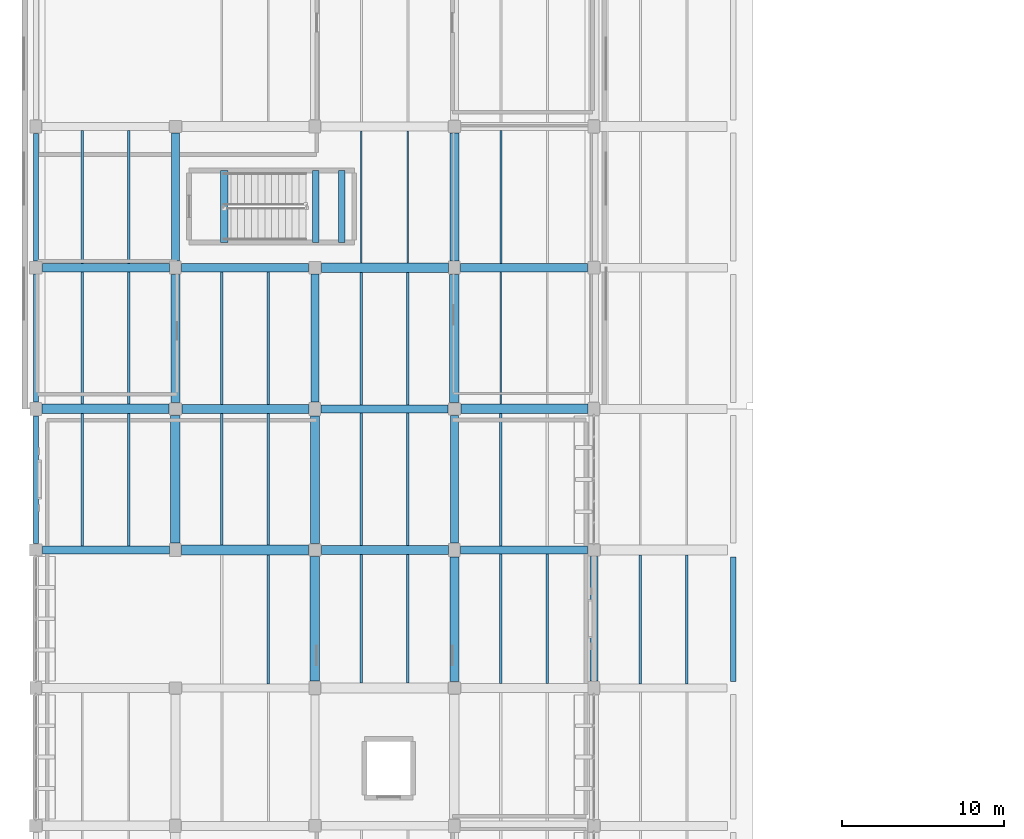
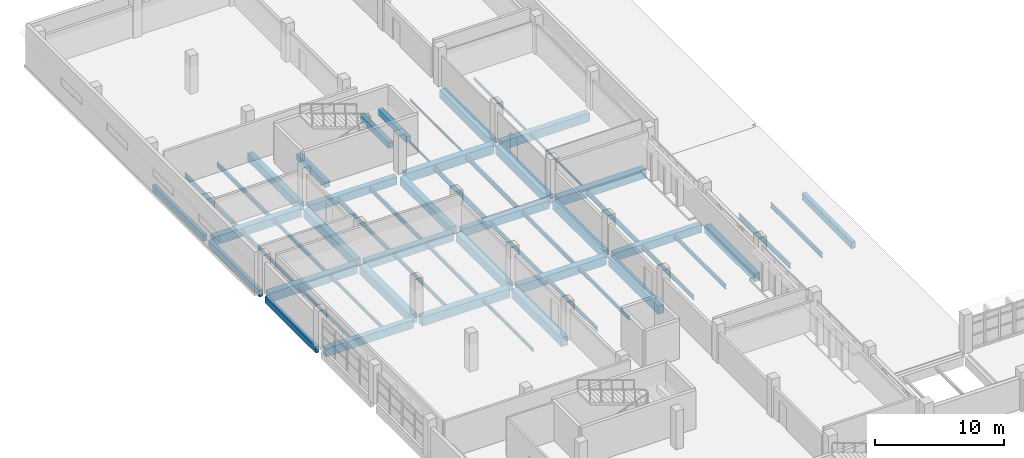
# One storey, part 44 of 80: 56 beams.
"""IFC4 building model written with IfcOpenShell, lengths in metres."""

from ifc_helpers import new_model, si_unit, direction, frame, origin, origin_2d, place, context, subcontext, project, spatial, rectangle, i_section, extrude, material, material_profile, profile_set, type_object, element, save


model = new_model("IFC4")

# Units and contexts
model_context = context("Model", 3, precision=1e-05, world=origin(), true_north=direction((0.0, 1.0)))
body_context = subcontext(model_context, "Body", "Model", "MODEL_VIEW")
ifc_project = project(units=[si_unit("LENGTHUNIT", "METRE"), si_unit("AREAUNIT", "SQUARE_METRE"), si_unit("VOLUMEUNIT", "CUBIC_METRE"), si_unit("PLANEANGLEUNIT", "RADIAN"), si_unit("MASSUNIT", "GRAM", prefix="KILO")], contexts=[model_context])

# Site, building, storey
site_placement = place(None, origin())
site = spatial("IfcSite", under=ifc_project, at=site_placement, CompositionType="ELEMENT")
building_placement = place(site_placement, origin())
building = spatial("IfcBuilding", under=site, at=building_placement, Name="Varnakota Cinema and Media Centre", CompositionType="ELEMENT")
storey_placement = place(building_placement, frame((0.0, 0.0, 4.5)))
storey = spatial("IfcBuildingStorey", under=building, at=storey_placement, Name="L01", CompositionType="ELEMENT", Elevation=4.5)

# Beams
ifc_material_1 = material(Name="Concrete M35", Category="concrete")
ifc_material_profile_1 = material_profile(ifc_material_1, rectangle(XDim=0.39990234375, YDim=0.550048828125, at=origin_2d()), Name="RCB 400x550")
ifc_profile_set_1 = profile_set([ifc_material_profile_1], Name="Concrete M35")
beam_type_1 = type_object("IfcBeamType", Name="BM-RC-400x550", PredefinedType="BEAM", material=ifc_profile_set_1)
for number, where, z_axis, x_axis, name in (
    (1, (17.264892578125, 88.449951171875, 1.47509765625), (0.0, 1.0, 0.0), (-1.0, 0.0, 0.0), "L01 ST-05 landing support beam 1"),
    (2, (18.855224609375, 88.449951171875, 1.47509765625), (0.0, 1.0, 0.0), (-1.0, 0.0, 0.0), "L01 ST-05 landing support beam 2"),
):
    element("IfcBeam", number, at=place(storey_placement, frame(where, z_axis=z_axis, x_axis=x_axis)), inside=storey, type_object=beam_type_1, Name=name, PredefinedType="BEAM", context=body_context, shape_type="SweptSolid", body=[
        extrude(rectangle(XDim=0.39990234375, YDim=0.550048828125, at=origin_2d()), origin(), (0.0, 0.0, 1.0), 4.449951171875),
    ])
ifc_material_2 = material(Name="Concrete M40", Category="concrete")
ifc_material_profile_2 = material_profile(ifc_material_2, rectangle(XDim=0.449951171875, YDim=0.550048828125, at=origin_2d()), Name="RCB 450x550")
ifc_profile_set_2 = profile_set([ifc_material_profile_2], Name="Concrete M40")
beam_type_2 = type_object("IfcBeamType", Name="BM-RC-450x550", PredefinedType="BEAM", material=ifc_profile_set_2)
beam_1_placement = place(storey_placement, frame((11.6201171875, 88.449951171875, -0.27490234375), z_axis=(0.0, 1.0, 0.0), x_axis=(-1.0, 0.0, 0.0)))
element("IfcBeam", 3, at=beam_1_placement, inside=storey, type_object=beam_type_2, Name="L01 ST-05 stair arrival trimmer beam", PredefinedType="BEAM", context=body_context, shape_type="SweptSolid", body=[
    extrude(rectangle(XDim=0.449951171875, YDim=0.550048828125, at=origin_2d()), origin(), (0.0, 0.0, 1.0), 4.449951171875),
])
ifc_material_3 = material(Name="Concrete M35", Category="concrete")
ifc_material_profile_3 = material_profile(ifc_material_3, rectangle(XDim=0.5, YDim=0.75, at=origin_2d()), Name="RCB 500x750")
ifc_profile_set_3 = profile_set([ifc_material_profile_3], Name="Concrete M35")
beam_type_3 = type_object("IfcBeamType", Name="BM-RC-500x750", PredefinedType="BEAM", material=ifc_profile_set_3)
beam_2_placement = place(storey_placement, frame((0.39990234375, 69.5, -0.625), z_axis=(1.0, 0.0, 0.0), x_axis=(0.0, 1.0, 0.0)))
element("IfcBeam", 4, at=beam_2_placement, inside=storey, type_object=beam_type_3, Name="L01 girder A-B/9", PredefinedType="BEAM", context=body_context, shape_type="SweptSolid", body=[
    extrude(rectangle(XDim=0.5, YDim=0.75, at=origin_2d()), origin(), (0.0, 0.0, 1.0), 7.8251953125),
])
for number, where, z_axis, x_axis, name in (
    (5, (26.175048828125, 69.5, -0.625), (1.0, 0.0, 0.0), (0.0, 1.0, 0.0), "L01 girder D-E/9"),
    (6, (17.574951171875, 78.199951171875, -0.625), (1.0, 0.0, 0.0), (0.0, 1.0, 0.0), "L01 girder C-D/10"),
    (7, (8.97509765625, 86.89990234375, -0.625), (1.0, 0.0, 0.0), (0.0, 1.0, 0.0), "L01 girder B-C/11"),
):
    element("IfcBeam", number, at=place(storey_placement, frame(where, z_axis=z_axis, x_axis=x_axis)), inside=storey, type_object=beam_type_3, Name=name, PredefinedType="BEAM", context=body_context, shape_type="SweptSolid", body=[
        extrude(rectangle(XDim=0.5, YDim=0.75, at=origin_2d()), origin(), (0.0, 0.0, 1.0), 7.824951171875),
    ])
for number, where, z_axis, x_axis, name in (
    (8, (8.60009765625, 87.324951171875, -0.625), (0.0, 1.0, 0.0), (-1.0, 0.0, 0.0), "L01 girder B/11-12"),
    (9, (17.199951171875, 78.625, -0.625), (0.0, 1.0, 0.0), (-1.0, 0.0, 0.0), "L01 girder C/10-11"),
    (10, (25.800048828125, 69.925048828125, -0.625), (0.0, 1.0, 0.0), (-1.0, 0.0, 0.0), "L01 girder D/9-10"),
):
    element("IfcBeam", number, at=place(storey_placement, frame(where, z_axis=z_axis, x_axis=x_axis)), inside=storey, type_object=beam_type_3, Name=name, PredefinedType="BEAM", context=body_context, shape_type="SweptSolid", body=[
        extrude(rectangle(XDim=0.5, YDim=0.75, at=origin_2d()), origin(), (0.0, 0.0, 1.0), 7.875),
    ])
beam_3_placement = place(storey_placement, frame((34.39990234375, 61.425048828125, -0.625), z_axis=(0.0, 1.0, 0.0), x_axis=(-1.0, 0.0, 0.0)))
element("IfcBeam", 11, at=beam_3_placement, inside=storey, type_object=beam_type_3, Name="L01 girder E/8-9", PredefinedType="BEAM", context=body_context, shape_type="SweptSolid", body=[
    extrude(rectangle(XDim=0.5, YDim=0.75, at=origin_2d()), origin(), (0.0, 0.0, 1.0), 7.675048828125),
])
ifc_material_4 = material(Name="Concrete M35", Category="concrete")
ifc_material_profile_4 = material_profile(ifc_material_4, rectangle(XDim=0.550048828125, YDim=0.800048828125, at=origin_2d()), Name="RCB 550x800")
ifc_profile_set_4 = profile_set([ifc_material_profile_4], Name="Concrete M35")
beam_type_4 = type_object("IfcBeamType", Name="BM-RC-550x800", PredefinedType="BEAM", material=ifc_profile_set_4)
for number, where, z_axis, x_axis, name in (
    (12, (17.60009765625, 69.5, -0.64990234375), (1.0, 0.0, 0.0), (0.0, 1.0, 0.0), "L01 girder C-D/9"),
    (13, (9.0, 78.199951171875, -0.64990234375), (1.0, 0.0, 0.0), (0.0, 1.0, 0.0), "L01 girder B-C/10"),
):
    element("IfcBeam", number, at=place(storey_placement, frame(where, z_axis=z_axis, x_axis=x_axis)), inside=storey, type_object=beam_type_4, Name=name, PredefinedType="BEAM", context=body_context, shape_type="SweptSolid", body=[
        extrude(rectangle(XDim=0.550048828125, YDim=0.800048828125, at=origin_2d()), origin(), (0.0, 0.0, 1.0), 7.824951171875),
    ])
beam_4_placement = place(storey_placement, frame((0.39990234375, 86.89990234375, -0.64990234375), z_axis=(1.0, 0.0, 0.0), x_axis=(0.0, 1.0, 0.0)))
element("IfcBeam", 14, at=beam_4_placement, inside=storey, type_object=beam_type_4, Name="L01 girder A-B/11", PredefinedType="BEAM", context=body_context, shape_type="SweptSolid", body=[
    extrude(rectangle(XDim=0.550048828125, YDim=0.800048828125, at=origin_2d()), origin(), (0.0, 0.0, 1.0), 7.8251953125),
])
beam_5_placement = place(storey_placement, frame((26.175048828125, 86.89990234375, -0.64990234375), z_axis=(1.0, 0.0, 0.0), x_axis=(0.0, 1.0, 0.0)))
element("IfcBeam", 15, at=beam_5_placement, inside=storey, type_object=beam_type_4, Name="L01 girder D-E/11", PredefinedType="BEAM", context=body_context, shape_type="SweptSolid", body=[
    extrude(rectangle(XDim=0.550048828125, YDim=0.800048828125, at=origin_2d()), origin(), (0.0, 0.0, 1.0), 7.824951171875),
])
for number, where, z_axis, x_axis, name in (
    (16, (8.60009765625, 78.60009765625, -0.64990234375), (0.0, 1.0, 0.0), (-1.0, 0.0, 0.0), "L01 girder B/10-11"),
    (17, (17.199951171875, 69.89990234375, -0.64990234375), (0.0, 1.0, 0.0), (-1.0, 0.0, 0.0), "L01 girder C/9-10"),
):
    element("IfcBeam", number, at=place(storey_placement, frame(where, z_axis=z_axis, x_axis=x_axis)), inside=storey, type_object=beam_type_4, Name=name, PredefinedType="BEAM", context=body_context, shape_type="SweptSolid", body=[
        extrude(rectangle(XDim=0.550048828125, YDim=0.800048828125, at=origin_2d()), origin(), (0.0, 0.0, 1.0), 7.875),
    ])
beam_6_placement = place(storey_placement, frame((25.800048828125, 61.39990234375, -0.64990234375), z_axis=(0.0, 1.0, 0.0), x_axis=(-1.0, 0.0, 0.0)))
element("IfcBeam", 18, at=beam_6_placement, inside=storey, type_object=beam_type_4, Name="L01 girder D/8-9", PredefinedType="BEAM", context=body_context, shape_type="SweptSolid", body=[
    extrude(rectangle(XDim=0.550048828125, YDim=0.800048828125, at=origin_2d()), origin(), (0.0, 0.0, 1.0), 7.675048828125),
])
beam_7_placement = place(storey_placement, frame((25.800048828125, 87.324951171875, -0.64990234375), z_axis=(0.0, 1.0, 0.0), x_axis=(-1.0, 0.0, 0.0)))
element("IfcBeam", 19, at=beam_7_placement, inside=storey, type_object=beam_type_4, Name="L01 girder D/11-12", PredefinedType="BEAM", context=body_context, shape_type="SweptSolid", body=[
    extrude(rectangle(XDim=0.550048828125, YDim=0.800048828125, at=origin_2d()), origin(), (0.0, 0.0, 1.0), 7.875),
])
ifc_material_5 = material(Name="Concrete M35", Category="concrete")
ifc_material_profile_5 = material_profile(ifc_material_5, rectangle(XDim=0.60009765625, YDim=0.85009765625, at=origin_2d()), Name="RCB 600x850")
ifc_profile_set_5 = profile_set([ifc_material_profile_5], Name="Concrete M35")
beam_type_5 = type_object("IfcBeamType", Name="BM-RC-600x850", PredefinedType="BEAM", material=ifc_profile_set_5)
for number, where, z_axis, x_axis, name in (
    (20, (8.97509765625, 69.5, -0.675048828125), (1.0, 0.0, 0.0), (0.0, 1.0, 0.0), "L01 girder B-C/9"),
    (21, (0.375, 78.199951171875, -0.675048828125), (1.0, 0.0, 0.0), (0.0, 1.0, 0.0), "L01 girder A-B/10"),
    (22, (26.199951171875, 78.199951171875, -0.675048828125), (1.0, 0.0, 0.0), (0.0, 1.0, 0.0), "L01 girder D-E/10"),
    (23, (17.60009765625, 86.89990234375, -0.675048828125), (1.0, 0.0, 0.0), (0.0, 1.0, 0.0), "L01 girder C-D/11"),
):
    element("IfcBeam", number, at=place(storey_placement, frame(where, z_axis=z_axis, x_axis=x_axis)), inside=storey, type_object=beam_type_5, Name=name, PredefinedType="BEAM", context=body_context, shape_type="SweptSolid", body=[
        extrude(rectangle(XDim=0.60009765625, YDim=0.85009765625, at=origin_2d()), origin(), (0.0, 0.0, 1.0), 7.824951171875),
    ])
beam_8_placement = place(storey_placement, frame((8.60009765625, 69.925048828125, -0.675048828125), z_axis=(0.0, 1.0, 0.0), x_axis=(-1.0, 0.0, 0.0)))
element("IfcBeam", 24, at=beam_8_placement, inside=storey, type_object=beam_type_5, Name="L01 girder B/9-10", PredefinedType="BEAM", context=body_context, shape_type="SweptSolid", body=[
    extrude(rectangle(XDim=0.60009765625, YDim=0.85009765625, at=origin_2d()), origin(), (0.0, 0.0, 1.0), 7.875),
])
beam_9_placement = place(storey_placement, frame((17.199951171875, 61.425048828125, -0.675048828125), z_axis=(0.0, 1.0, 0.0), x_axis=(-1.0, 0.0, 0.0)))
element("IfcBeam", 25, at=beam_9_placement, inside=storey, type_object=beam_type_5, Name="L01 girder C/8-9", PredefinedType="BEAM", context=body_context, shape_type="SweptSolid", body=[
    extrude(rectangle(XDim=0.60009765625, YDim=0.85009765625, at=origin_2d()), origin(), (0.0, 0.0, 1.0), 7.675048828125),
])
beam_10_placement = place(storey_placement, frame((25.800048828125, 78.60009765625, -0.675048828125), z_axis=(0.0, 1.0, 0.0), x_axis=(-1.0, 0.0, 0.0)))
element("IfcBeam", 26, at=beam_10_placement, inside=storey, type_object=beam_type_5, Name="L01 girder D/10-11", PredefinedType="BEAM", context=body_context, shape_type="SweptSolid", body=[
    extrude(rectangle(XDim=0.60009765625, YDim=0.85009765625, at=origin_2d()), origin(), (0.0, 0.0, 1.0), 7.875),
])
ifc_material_6 = material(Name="Concrete M35", Category="concrete")
ifc_material_profile_6 = material_profile(ifc_material_6, rectangle(XDim=0.300048828125, YDim=0.60009765625, at=origin_2d()), Name="RCB 300x600")
ifc_profile_set_6 = profile_set([ifc_material_profile_6], Name="Concrete M35")
beam_type_6 = type_object("IfcBeamType", Name="BM-SP-300x600", PredefinedType="SPANDREL", material=ifc_profile_set_6)
for number, where, z_axis, x_axis, name in (
    (27, (0.0, 69.89990234375, -0.550048828125), (0.0, 1.0, 0.0), (-1.0, 0.0, 0.0), "L01 girder A/9-10"),
    (28, (0.0, 78.625, -0.550048828125), (0.0, 1.0, 0.0), (-1.0, 0.0, 0.0), "L01 girder A/10-11"),
    (29, (0.0, 87.300048828125, -0.550048828125), (0.0, 1.0, 0.0), (-1.0, 0.0, 0.0), "L01 girder A/11-12"),
):
    element("IfcBeam", number, at=place(storey_placement, frame(where, z_axis=z_axis, x_axis=x_axis)), inside=storey, type_object=beam_type_6, Name=name, PredefinedType="SPANDREL", context=body_context, shape_type="SweptSolid", body=[
        extrude(rectangle(XDim=0.300048828125, YDim=0.60009765625, at=origin_2d()), origin(), (0.0, 0.0, 1.0), 7.875),
    ])
ifc_material_7 = material(Name="Concrete M40", Category="concrete")
ifc_material_profile_7 = material_profile(ifc_material_7, rectangle(XDim=0.35009765625, YDim=0.64990234375, at=origin_2d()), Name="RCB 350x650")
ifc_profile_set_7 = profile_set([ifc_material_profile_7], Name="Concrete M40")
beam_type_7 = type_object("IfcBeamType", Name="BM-SP-350x650", PredefinedType="SPANDREL", material=ifc_profile_set_7)
beam_11_placement = place(storey_placement, frame((43.0, 61.39990234375, -0.574951171875), z_axis=(0.0, 1.0, 0.0), x_axis=(-1.0, 0.0, 0.0)))
element("IfcBeam", 30, at=beam_11_placement, inside=storey, type_object=beam_type_7, Name="L01 girder F/8-9", PredefinedType="SPANDREL", context=body_context, shape_type="SweptSolid", body=[
    extrude(rectangle(XDim=0.35009765625, YDim=0.64990234375, at=origin_2d()), origin(), (0.0, 0.0, 1.0), 7.675048828125),
])
ifc_material_8 = material(Name="Structural steel Grade 350 (E350)", Category="steel")
ifc_material_profile_8 = material_profile(ifc_material_8, i_section(OverallWidth=0.10009765625, OverallDepth=0.199951171875, WebThickness=0.005615234375, FlangeThickness=0.0107421875, FilletRadius=0.010986328125, at=origin_2d()), Name="ISMB 200")
ifc_profile_set_8 = profile_set([ifc_material_profile_8], Name="Structural steel Grade 350 (E350)")
beam_type_8 = type_object("IfcBeamType", Name="BM-ST-ISMB200", PredefinedType="JOIST", material=ifc_profile_set_8)
for number, where, z_axis, x_axis, name in (
    (31, (20.066650390625, 87.199951171875, -0.35009765625), (0.0, 1.0, 0.0), (-1.0, 0.0, 0.0), "L01 steel joist C-D/11-12 #1"),
    (32, (22.933349609375, 87.199951171875, -0.35009765625), (0.0, 1.0, 0.0), (-1.0, 0.0, 0.0), "L01 steel joist C-D/11-12 #2"),
    (33, (28.666748046875, 78.5, -0.35009765625), (0.0, 1.0, 0.0), (-1.0, 0.0, 0.0), "L01 steel joist D-E/10-11 #1"),
):
    element("IfcBeam", number, at=place(storey_placement, frame(where, z_axis=z_axis, x_axis=x_axis)), inside=storey, type_object=beam_type_8, Name=name, PredefinedType="JOIST", context=body_context, shape_type="SweptSolid", body=[
        extrude(i_section(OverallWidth=0.10009765625, OverallDepth=0.199951171875, WebThickness=0.005615234375, FlangeThickness=0.0107421875, FilletRadius=0.010986328125, at=origin_2d()), origin(), (0.0, 0.0, 1.0), 8.125),
    ])
ifc_material_9 = material(Name="Structural steel Grade 350 (E350)", Category="steel")
ifc_material_profile_9 = material_profile(ifc_material_9, i_section(OverallWidth=0.110107421875, OverallDepth=0.22509765625, WebThickness=0.006591796875, FlangeThickness=0.01171875, FilletRadius=0.011962890625, at=origin_2d()), Name="ISMB 225")
ifc_profile_set_9 = profile_set([ifc_material_profile_9], Name="Structural steel Grade 350 (E350)")
beam_type_9 = type_object("IfcBeamType", Name="BM-ST-ISMB225", PredefinedType="JOIST", material=ifc_profile_set_9)
beam_12_placement = place(storey_placement, frame((28.666748046875, 87.175048828125, -0.362548828125), z_axis=(0.0, 1.0, 0.0), x_axis=(-1.0, 0.0, 0.0)))
element("IfcBeam", 34, at=beam_12_placement, inside=storey, type_object=beam_type_9, Name="L01 steel joist D-E/11-12 #1", PredefinedType="JOIST", context=body_context, shape_type="SweptSolid", body=[
    extrude(i_section(OverallWidth=0.110107421875, OverallDepth=0.22509765625, WebThickness=0.006591796875, FlangeThickness=0.01171875, FilletRadius=0.011962890625, at=origin_2d()), origin(), (0.0, 0.0, 1.0), 8.175048828125),
])
ifc_material_10 = material(Name="Structural steel Grade 350 (E350)", Category="steel")
ifc_material_profile_10 = material_profile(ifc_material_10, i_section(OverallWidth=0.139892578125, OverallDepth=0.300048828125, WebThickness=0.0078125, FlangeThickness=0.01318359375, FilletRadius=0.013916015625, at=origin_2d()), Name="ISMB 300")
ifc_profile_set_10 = profile_set([ifc_material_profile_10], Name="Structural steel Grade 350 (E350)")
beam_type_10 = type_object("IfcBeamType", Name="BM-ST-ISMB300", PredefinedType="JOIST", material=ifc_profile_set_10)
for number, where, z_axis, x_axis, name in (
    (35, (2.86669921875, 69.75, -0.39990234375), (0.0, 1.0, 0.0), (-1.0, 0.0, 0.0), "L01 steel joist A-B/9-10 #1"),
    (36, (5.7333984375, 69.75, -0.39990234375), (0.0, 1.0, 0.0), (-1.0, 0.0, 0.0), "L01 steel joist A-B/9-10 #2"),
):
    element("IfcBeam", number, at=place(storey_placement, frame(where, z_axis=z_axis, x_axis=x_axis)), inside=storey, type_object=beam_type_10, Name=name, PredefinedType="JOIST", context=body_context, shape_type="SweptSolid", body=[
        extrude(i_section(OverallWidth=0.139892578125, OverallDepth=0.300048828125, WebThickness=0.0078125, FlangeThickness=0.01318359375, FilletRadius=0.013916015625, at=origin_2d()), origin(), (0.0, 0.0, 1.0), 8.14990234375),
    ])
beam_13_placement = place(storey_placement, frame((14.333251953125, 61.25, -0.39990234375), z_axis=(0.0, 1.0, 0.0), x_axis=(-1.0, 0.0, 0.0)))
element("IfcBeam", 37, at=beam_13_placement, inside=storey, type_object=beam_type_10, Name="L01 steel joist B-C/8-9 #2", PredefinedType="JOIST", context=body_context, shape_type="SweptSolid", body=[
    extrude(i_section(OverallWidth=0.139892578125, OverallDepth=0.300048828125, WebThickness=0.0078125, FlangeThickness=0.01318359375, FilletRadius=0.013916015625, at=origin_2d()), origin(), (0.0, 0.0, 1.0), 7.949951171875),
])
ifc_material_11 = material(Name="Structural steel Grade 350 (E350)", Category="steel")
ifc_material_profile_11 = material_profile(ifc_material_11, i_section(OverallWidth=0.139892578125, OverallDepth=0.35009765625, WebThickness=0.008056640625, FlangeThickness=0.01416015625, FilletRadius=0.013916015625, at=origin_2d()), Name="ISMB 350")
ifc_profile_set_11 = profile_set([ifc_material_profile_11], Name="Structural steel Grade 350 (E350)")
beam_type_11 = type_object("IfcBeamType", Name="BM-ST-ISMB350", PredefinedType="JOIST", material=ifc_profile_set_11)
for number, where, z_axis, x_axis, name in (
    (38, (2.86669921875, 78.5, -0.425048828125), (0.0, 1.0, 0.0), (-1.0, 0.0, 0.0), "L01 steel joist A-B/10-11 #1"),
    (39, (5.7333984375, 78.5, -0.425048828125), (0.0, 1.0, 0.0), (-1.0, 0.0, 0.0), "L01 steel joist A-B/10-11 #2"),
    (40, (11.466796875, 69.800048828125, -0.425048828125), (0.0, 1.0, 0.0), (-1.0, 0.0, 0.0), "L01 steel joist B-C/9-10 #1"),
    (41, (14.333251953125, 69.800048828125, -0.425048828125), (0.0, 1.0, 0.0), (-1.0, 0.0, 0.0), "L01 steel joist B-C/9-10 #2"),
):
    element("IfcBeam", number, at=place(storey_placement, frame(where, z_axis=z_axis, x_axis=x_axis)), inside=storey, type_object=beam_type_11, Name=name, PredefinedType="JOIST", context=body_context, shape_type="SweptSolid", body=[
        extrude(i_section(OverallWidth=0.139892578125, OverallDepth=0.35009765625, WebThickness=0.008056640625, FlangeThickness=0.01416015625, FilletRadius=0.013916015625, at=origin_2d()), origin(), (0.0, 0.0, 1.0), 8.125),
    ])
for number, where, z_axis, x_axis, name in (
    (42, (20.066650390625, 61.300048828125, -0.425048828125), (0.0, 1.0, 0.0), (-1.0, 0.0, 0.0), "L01 steel joist C-D/8-9 #1"),
    (43, (22.933349609375, 61.300048828125, -0.425048828125), (0.0, 1.0, 0.0), (-1.0, 0.0, 0.0), "L01 steel joist C-D/8-9 #2"),
):
    element("IfcBeam", number, at=place(storey_placement, frame(where, z_axis=z_axis, x_axis=x_axis)), inside=storey, type_object=beam_type_11, Name=name, PredefinedType="JOIST", context=body_context, shape_type="SweptSolid", body=[
        extrude(i_section(OverallWidth=0.139892578125, OverallDepth=0.35009765625, WebThickness=0.008056640625, FlangeThickness=0.01416015625, FilletRadius=0.013916015625, at=origin_2d()), origin(), (0.0, 0.0, 1.0), 7.925048828125),
    ])
ifc_material_12 = material(Name="Structural steel Grade 350 (E350)", Category="steel")
ifc_material_profile_12 = material_profile(ifc_material_12, i_section(OverallWidth=0.139892578125, OverallDepth=0.39990234375, WebThickness=0.0087890625, FlangeThickness=0.01611328125, FilletRadius=0.013916015625, at=origin_2d()), Name="ISMB 400")
ifc_profile_set_12 = profile_set([ifc_material_profile_12], Name="Structural steel Grade 350 (E350)")
beam_type_12 = type_object("IfcBeamType", Name="BM-ST-ISMB400", PredefinedType="JOIST", material=ifc_profile_set_12)
for number, where, z_axis, x_axis, name in (
    (44, (2.86669921875, 87.175048828125, -0.449951171875), (0.0, 1.0, 0.0), (-1.0, 0.0, 0.0), "L01 steel joist A-B/11-12 #1"),
    (45, (5.7333984375, 87.175048828125, -0.449951171875), (0.0, 1.0, 0.0), (-1.0, 0.0, 0.0), "L01 steel joist A-B/11-12 #2"),
):
    element("IfcBeam", number, at=place(storey_placement, frame(where, z_axis=z_axis, x_axis=x_axis)), inside=storey, type_object=beam_type_12, Name=name, PredefinedType="JOIST", context=body_context, shape_type="SweptSolid", body=[
        extrude(i_section(OverallWidth=0.139892578125, OverallDepth=0.39990234375, WebThickness=0.0087890625, FlangeThickness=0.01611328125, FilletRadius=0.013916015625, at=origin_2d()), origin(), (0.0, 0.0, 1.0), 8.175048828125),
    ])
for number, where, z_axis, x_axis, name in (
    (46, (11.466796875, 78.47509765625, -0.449951171875), (0.0, 1.0, 0.0), (-1.0, 0.0, 0.0), "L01 steel joist B-C/10-11 #1"),
    (47, (14.333251953125, 78.47509765625, -0.449951171875), (0.0, 1.0, 0.0), (-1.0, 0.0, 0.0), "L01 steel joist B-C/10-11 #2"),
):
    element("IfcBeam", number, at=place(storey_placement, frame(where, z_axis=z_axis, x_axis=x_axis)), inside=storey, type_object=beam_type_12, Name=name, PredefinedType="JOIST", context=body_context, shape_type="SweptSolid", body=[
        extrude(i_section(OverallWidth=0.139892578125, OverallDepth=0.39990234375, WebThickness=0.0087890625, FlangeThickness=0.01611328125, FilletRadius=0.013916015625, at=origin_2d()), origin(), (0.0, 0.0, 1.0), 8.1748046875),
    ])
for number, where, z_axis, x_axis, name in (
    (48, (20.066650390625, 69.77490234375, -0.449951171875), (0.0, 1.0, 0.0), (-1.0, 0.0, 0.0), "L01 steel joist C-D/9-10 #1"),
    (49, (22.933349609375, 69.77490234375, -0.449951171875), (0.0, 1.0, 0.0), (-1.0, 0.0, 0.0), "L01 steel joist C-D/9-10 #2"),
):
    element("IfcBeam", number, at=place(storey_placement, frame(where, z_axis=z_axis, x_axis=x_axis)), inside=storey, type_object=beam_type_12, Name=name, PredefinedType="JOIST", context=body_context, shape_type="SweptSolid", body=[
        extrude(i_section(OverallWidth=0.139892578125, OverallDepth=0.39990234375, WebThickness=0.0087890625, FlangeThickness=0.01611328125, FilletRadius=0.013916015625, at=origin_2d()), origin(), (0.0, 0.0, 1.0), 8.175048828125),
    ])
for number, where, z_axis, x_axis, name in (
    (50, (28.666748046875, 61.27490234375, -0.449951171875), (0.0, 1.0, 0.0), (-1.0, 0.0, 0.0), "L01 steel joist D-E/8-9 #1"),
    (51, (31.533203125, 61.27490234375, -0.449951171875), (0.0, 1.0, 0.0), (-1.0, 0.0, 0.0), "L01 steel joist D-E/8-9 #2"),
):
    element("IfcBeam", number, at=place(storey_placement, frame(where, z_axis=z_axis, x_axis=x_axis)), inside=storey, type_object=beam_type_12, Name=name, PredefinedType="JOIST", context=body_context, shape_type="SweptSolid", body=[
        extrude(i_section(OverallWidth=0.139892578125, OverallDepth=0.39990234375, WebThickness=0.0087890625, FlangeThickness=0.01611328125, FilletRadius=0.013916015625, at=origin_2d()), origin(), (0.0, 0.0, 1.0), 7.97509765625),
    ])
ifc_material_13 = material(Name="Structural steel Grade 350 (E350)", Category="steel")
ifc_material_profile_13 = material_profile(ifc_material_13, i_section(OverallWidth=0.14990234375, OverallDepth=0.449951171875, WebThickness=0.009521484375, FlangeThickness=0.017333984375, FilletRadius=0.014892578125, at=origin_2d()), Name="ISMB 450")
ifc_profile_set_13 = profile_set([ifc_material_profile_13], Name="Structural steel Grade 350 (E350)")
beam_type_13 = type_object("IfcBeamType", Name="BM-ST-ISMB450", PredefinedType="BEAM", material=ifc_profile_set_13)
for number, where, z_axis, x_axis, name in (
    (52, (20.066650390625, 78.449951171875, -0.47509765625), (0.0, 1.0, 0.0), (-1.0, 0.0, 0.0), "L01 steel joist C-D/10-11 #1"),
    (53, (22.933349609375, 78.449951171875, -0.47509765625), (0.0, 1.0, 0.0), (-1.0, 0.0, 0.0), "L01 steel joist C-D/10-11 #2"),
):
    element("IfcBeam", number, at=place(storey_placement, frame(where, z_axis=z_axis, x_axis=x_axis)), inside=storey, type_object=beam_type_13, Name=name, PredefinedType="BEAM", context=body_context, shape_type="SweptSolid", body=[
        extrude(i_section(OverallWidth=0.14990234375, OverallDepth=0.449951171875, WebThickness=0.009521484375, FlangeThickness=0.017333984375, FilletRadius=0.014892578125, at=origin_2d()), origin(), (0.0, 0.0, 1.0), 8.150146484375),
    ])
beam_14_placement = place(storey_placement, frame((28.666748046875, 69.75, -0.47509765625), z_axis=(0.0, 1.0, 0.0), x_axis=(-1.0, 0.0, 0.0)))
element("IfcBeam", 54, at=beam_14_placement, inside=storey, type_object=beam_type_13, Name="L01 steel joist D-E/9-10 #1", PredefinedType="BEAM", context=body_context, shape_type="SweptSolid", body=[
    extrude(i_section(OverallWidth=0.14990234375, OverallDepth=0.449951171875, WebThickness=0.009521484375, FlangeThickness=0.017333984375, FilletRadius=0.014892578125, at=origin_2d()), origin(), (0.0, 0.0, 1.0), 8.14990234375),
])
for number, where, z_axis, x_axis, name in (
    (55, (37.2666015625, 61.25, -0.47509765625), (0.0, 1.0, 0.0), (-1.0, 0.0, 0.0), "L01 steel joist E-F/8-9 #1"),
    (56, (40.13330078125, 61.25, -0.47509765625), (0.0, 1.0, 0.0), (-1.0, 0.0, 0.0), "L01 steel joist E-F/8-9 #2"),
):
    element("IfcBeam", number, at=place(storey_placement, frame(where, z_axis=z_axis, x_axis=x_axis)), inside=storey, type_object=beam_type_13, Name=name, PredefinedType="BEAM", context=body_context, shape_type="SweptSolid", body=[
        extrude(i_section(OverallWidth=0.14990234375, OverallDepth=0.449951171875, WebThickness=0.009521484375, FlangeThickness=0.017333984375, FilletRadius=0.014892578125, at=origin_2d()), origin(), (0.0, 0.0, 1.0), 7.949951171875),
    ])

save(model, "model.ifc")
